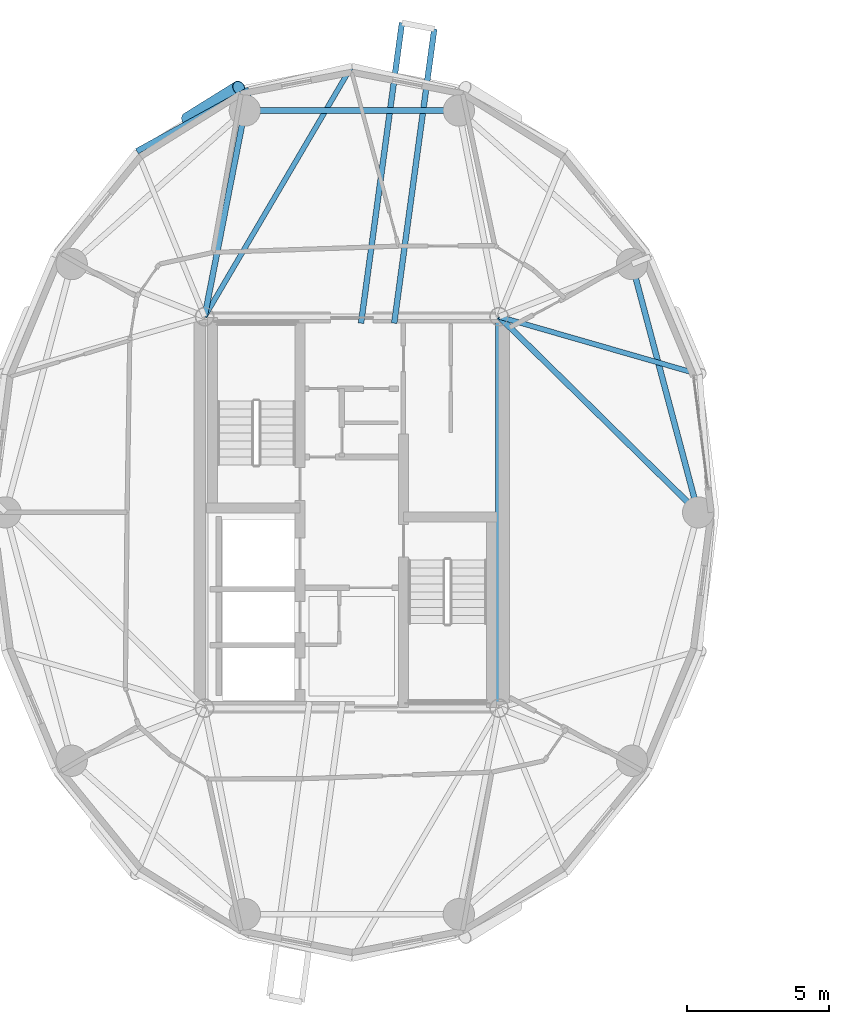
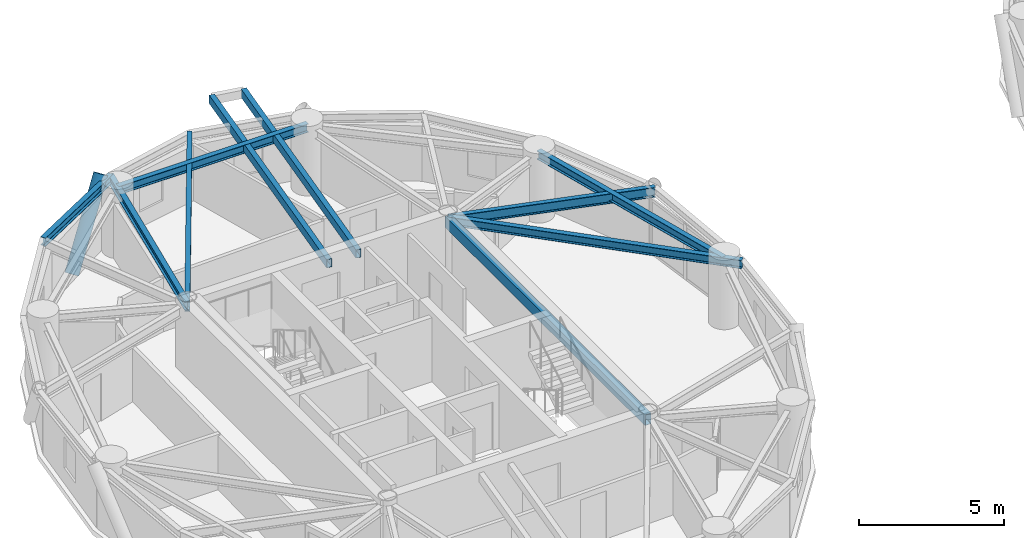
# One storey, part 2 of 16: 10 beams, 1 member.
"""IFC4 building model written with IfcOpenShell, lengths in metres."""

from ifc_helpers import new_model, si_unit, direction, frame, origin, origin_2d, place, context, subcontext, project, spatial, hollow_rectangle, hollow_circle, i_section, extrude, material, material_profile, profile_set, type_object, element, save


model = new_model("IFC4")

# Units and contexts
model_context = context("Model", 3, precision=1e-05, world=origin(), true_north=direction((0.0, 1.0)))
body_context = subcontext(model_context, "Body", "Model", "MODEL_VIEW")
ifc_project = project(units=[si_unit("LENGTHUNIT", "METRE"), si_unit("AREAUNIT", "SQUARE_METRE"), si_unit("VOLUMEUNIT", "CUBIC_METRE"), si_unit("PLANEANGLEUNIT", "RADIAN"), si_unit("MASSUNIT", "GRAM", prefix="KILO")], contexts=[model_context])

# Site, building, storey
site_placement = place(None, origin())
site = spatial("IfcSite", under=ifc_project, at=site_placement, CompositionType="ELEMENT")
building_placement = place(site_placement, origin())
building = spatial("IfcBuilding", under=site, at=building_placement, Name="Cununo Teusaquillo Station Towers", CompositionType="ELEMENT")
storey_placement = place(building_placement, frame((0.0, 0.0, 211.2099609375)))
storey = spatial("IfcBuildingStorey", under=building, at=storey_placement, Name="L67", CompositionType="ELEMENT", Elevation=211.2099609375)

# Beams
ifc_material_1 = material(Name="Steel EN 10025-2 S355J2", Category="steel")
ifc_material_profile_1 = material_profile(ifc_material_1, hollow_rectangle(XDim=0.199951171875, YDim=0.35009765625, WallThickness=0.013916015625, at=origin_2d()), Name="RHS 350x200x14")
ifc_profile_set_1 = profile_set([ifc_material_profile_1], Name="Steel EN 10025-2 S355J2")
beam_type_1 = type_object("IfcBeamType", Name="BM-BAL-CANT", PredefinedType="BEAM", material=ifc_profile_set_1)
beam_1_placement = place(storey_placement, frame((17.9892578125, 31.14990234375, 2.525146484375), z_axis=(0.135018196505, 0.990843119072, 0.0), x_axis=(-0.990843119072, 0.135018196505, 0.0)))
element("IfcBeam", 1, at=beam_1_placement, inside=storey, type_object=beam_type_1, Name="L67 Tower A Balcony Cantilever Bracket 1A", PredefinedType="BEAM", context=body_context, shape_type="SweptSolid", body=[
    extrude(hollow_rectangle(XDim=0.199951171875, YDim=0.35009765625, WallThickness=0.013916015625, at=origin_2d()), origin(), (0.0, 0.0, 1.0), 10.43505859375),
])
beam_2_placement = place(storey_placement, frame((16.822998046875, 31.14990234375, 2.525146484375), z_axis=(0.135006880627, 0.990844660975, 0.0), x_axis=(-0.990844660975, 0.135006880627, 0.0)))
element("IfcBeam", 2, at=beam_2_placement, inside=storey, type_object=beam_type_1, Name="L67 Tower A Balcony Cantilever Bracket 1B", PredefinedType="BEAM", context=body_context, shape_type="SweptSolid", body=[
    extrude(hollow_rectangle(XDim=0.199951171875, YDim=0.35009765625, WallThickness=0.013916015625, at=origin_2d()), origin(), (0.0, 0.0, 1.0), 10.65673828125),
])
ifc_material_2 = material(Name="Steel EN 10025-2 S355J2", Category="steel")
ifc_material_profile_2 = material_profile(ifc_material_2, hollow_rectangle(XDim=0.25, YDim=0.449951171875, WallThickness=0.01611328125, at=origin_2d()), Name="RHS 450x250x16")
ifc_profile_set_2 = profile_set([ifc_material_profile_2], Name="Steel EN 10025-2 S355J2")
beam_type_2 = type_object("IfcBeamType", Name="BM-COUP-1", PredefinedType="USERDEFINED", material=ifc_profile_set_2)
beam_3_placement = place(storey_placement, frame((21.675048828125, 17.6201171875, 2.47509765625), z_axis=(0.0, 1.0, 0.0), x_axis=(-1.0, 0.0, 0.0)))
element("IfcBeam", 3, at=beam_3_placement, inside=storey, type_object=beam_type_2, Name="L67 Tower A Core Beam 2", ObjectType="COUPLING BEAM", PredefinedType="USERDEFINED", context=body_context, shape_type="SweptSolid", body=[
    extrude(hollow_rectangle(XDim=0.25, YDim=0.449951171875, WallThickness=0.01611328125, at=origin_2d()), origin(), (0.0, 0.0, 1.0), 13.759765625),
])
ifc_material_3 = material(Name="Steel ASTM A572 Grade 50", Category="steel")
ifc_material_profile_3 = material_profile(ifc_material_3, i_section(OverallWidth=0.180908203125, OverallDepth=0.4169921875, WebThickness=0.010986328125, FlangeThickness=0.018310546875, FilletRadius=0.012939453125, at=origin_2d()), Name="W16X57")
ifc_profile_set_3 = profile_set([ifc_material_profile_3], Name="Steel ASTM A572 Grade 50")
beam_type_3 = type_object("IfcBeamType", Name="BM-JOIST-1", PredefinedType="JOIST", material=ifc_profile_set_3)
beam_4_placement = place(storey_placement, frame((21.675048828125, 31.3798828125, 2.491455078125), z_axis=(0.960861603375, -0.277028841748, 0.0), x_axis=(0.277028841748, 0.960861603375, 0.0)))
element("IfcBeam", 4, at=beam_4_placement, inside=storey, type_object=beam_type_3, Name="L67 Tower A Radial Spandrel Joist V01", PredefinedType="JOIST", context=body_context, shape_type="SweptSolid", body=[
    extrude(i_section(OverallWidth=0.180908203125, OverallDepth=0.4169921875, WebThickness=0.010986328125, FlangeThickness=0.018310546875, FilletRadius=0.012939453125, at=origin_2d()), origin(), (0.0, 0.0, 1.0), 7.333251953125),
])
beam_5_placement = place(storey_placement, frame((11.324951171875, 31.3798828125, 2.491455078125), z_axis=(0.506486432091, 0.862247930765, 0.0), x_axis=(-0.862247930765, 0.506486432091, 0.0)))
element("IfcBeam", 5, at=beam_5_placement, inside=storey, type_object=beam_type_3, Name="L67 Tower A Radial Spandrel Joist V05", PredefinedType="JOIST", context=body_context, shape_type="SweptSolid", body=[
    extrude(i_section(OverallWidth=0.180908203125, OverallDepth=0.4169921875, WebThickness=0.010986328125, FlangeThickness=0.018310546875, FilletRadius=0.012939453125, at=origin_2d()), origin(), (0.0, 0.0, 1.0), 10.217529296875),
])
ifc_material_4 = material(Name="Steel ASTM A572 Grade 50", Category="steel")
ifc_material_profile_4 = material_profile(ifc_material_4, i_section(OverallWidth=0.2041015625, OverallDepth=0.35009765625, WebThickness=0.008544921875, FlangeThickness=0.01513671875, FilletRadius=0.011962890625, at=origin_2d()), Name="W14X48")
ifc_profile_set_4 = profile_set([ifc_material_profile_4], Name="Steel ASTM A572 Grade 50")
beam_type_4 = type_object("IfcBeamType", Name="BM-RAD-G3", PredefinedType="BEAM", material=ifc_profile_set_4)
beam_6_placement = place(storey_placement, frame((21.675048828125, 31.3798828125, 2.525146484375), z_axis=(0.713043510712, -0.701119784225, 0.0), x_axis=(0.701119784225, 0.713043510712, 0.0)))
element("IfcBeam", 6, at=beam_6_placement, inside=storey, type_object=beam_type_4, Name="L67 Tower A Continuous Overhanging Radial Girder 01", PredefinedType="BEAM", context=body_context, shape_type="SweptSolid", body=[
    extrude(i_section(OverallWidth=0.2041015625, OverallDepth=0.35009765625, WebThickness=0.008544921875, FlangeThickness=0.01513671875, FilletRadius=0.011962890625, at=origin_2d()), origin(), (0.0, 0.0, 1.0), 10.462890625),
])
beam_7_placement = place(storey_placement, frame((11.324951171875, 31.3798828125, 2.525146484375), z_axis=(0.191548487699, 0.981483151593, 0.0), x_axis=(-0.981483151593, 0.191548487699, 0.0)))
element("IfcBeam", 7, at=beam_7_placement, inside=storey, type_object=beam_type_4, Name="L67 Tower A Continuous Overhanging Radial Girder 04", PredefinedType="BEAM", context=body_context, shape_type="SweptSolid", body=[
    extrude(i_section(OverallWidth=0.2041015625, OverallDepth=0.35009765625, WebThickness=0.008544921875, FlangeThickness=0.01513671875, FilletRadius=0.011962890625, at=origin_2d()), origin(), (0.0, 0.0, 1.0), 8.1240234375),
])
ifc_material_5 = material(Name="Steel ASTM A572 Grade 50", Category="steel")
ifc_material_profile_5 = material_profile(ifc_material_5, i_section(OverallWidth=0.2041015625, OverallDepth=0.35009765625, WebThickness=0.008544921875, FlangeThickness=0.01513671875, FilletRadius=0.011962890625, at=origin_2d()), Name="W14X48")
ifc_profile_set_5 = profile_set([ifc_material_profile_5], Name="Steel ASTM A572 Grade 50")
beam_type_5 = type_object("IfcBeamType", Name="BM-RING-Z4", PredefinedType="SPANDREL", material=ifc_profile_set_5)
beam_8_placement = place(storey_placement, frame((28.672119140625, 24.5, 2.525146484375), z_axis=(-0.257363196347, 0.966314744359, 0.0), x_axis=(-0.966314744359, -0.257363196347, 0.0)))
element("IfcBeam", 8, at=beam_8_placement, inside=storey, type_object=beam_type_5, Name="L67 Tower A Structural Column Ring Girder 01", PredefinedType="SPANDREL", context=body_context, shape_type="SweptSolid", body=[
    extrude(i_section(OverallWidth=0.2041015625, OverallDepth=0.35009765625, WebThickness=0.008544921875, FlangeThickness=0.01513671875, FilletRadius=0.011962890625, at=origin_2d()), origin(), (0.0, 0.0, 1.0), 9.03271484375),
])
beam_9_placement = place(storey_placement, frame((20.261474609375, 38.623291015625, 2.525146484375), z_axis=(-1.0, 0.0, 0.0), x_axis=(0.0, -1.0, 0.0)))
element("IfcBeam", 9, at=beam_9_placement, inside=storey, type_object=beam_type_5, Name="L67 Tower A Structural Column Ring Girder 03", PredefinedType="SPANDREL", context=body_context, shape_type="SweptSolid", body=[
    extrude(i_section(OverallWidth=0.2041015625, OverallDepth=0.35009765625, WebThickness=0.008544921875, FlangeThickness=0.01513671875, FilletRadius=0.011962890625, at=origin_2d()), origin(), (0.0, 0.0, 1.0), 7.52294921875),
])
beam_10_placement = place(storey_placement, frame((12.881103515625, 39.353515625, 2.525146484375), z_axis=(-0.876576300909, -0.481262910149, 0.0), x_axis=(0.481262910149, -0.876576300909, 0.0)))
element("IfcBeam", 10, at=beam_10_placement, inside=storey, type_object=beam_type_5, Name="L67 Tower A Spandrel Ring Beam 07", PredefinedType="SPANDREL", context=body_context, shape_type="SweptSolid", body=[
    extrude(i_section(OverallWidth=0.2041015625, OverallDepth=0.35009765625, WebThickness=0.008544921875, FlangeThickness=0.01513671875, FilletRadius=0.011962890625, at=origin_2d()), origin(), (0.0, 0.0, 1.0), 4.488037109375),
])

# Member
ifc_material_6 = material(Name="Steel EN 10025-2 S355J2", Category="steel")
ifc_material_profile_6 = material_profile(ifc_material_6, hollow_circle(Radius=0.25390625, WallThickness=0.01806640625, at=origin_2d()), Name="CHS 508x18")
ifc_profile_set_6 = profile_set([ifc_material_profile_6], Name="Steel EN 10025-2 S355J2")
member_type = type_object("IfcMemberType", Name="MBR-DIAG-Z4", PredefinedType="BRACE", material=ifc_profile_set_6)
member_placement = place(storey_placement, frame((10.738037109375, 38.307861328125, -0.139892578125), z_axis=(0.498333742466, 0.310032061152, 0.809656471708), x_axis=(-0.528249968439, 0.849088906325, 0.0)))
element("IfcMember", 11, at=member_placement, inside=storey, type_object=member_type, Name="L67 Tower A Folded-Zigzag Diagrid Tube C06", PredefinedType="BRACE", context=body_context, shape_type="SweptSolid", body=[
    extrude(hollow_circle(Radius=0.25390625, WallThickness=0.01806640625, at=origin_2d()), origin(), (0.0, 0.0, 1.0), 3.593994140625),
])

save(model, "model.ifc")
